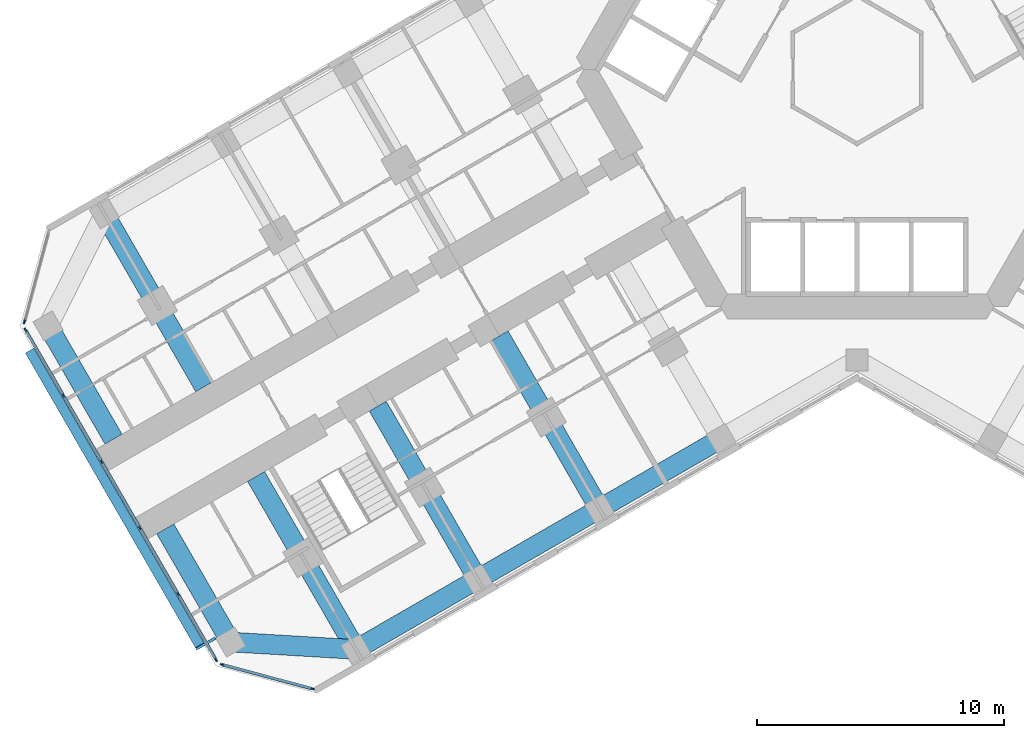
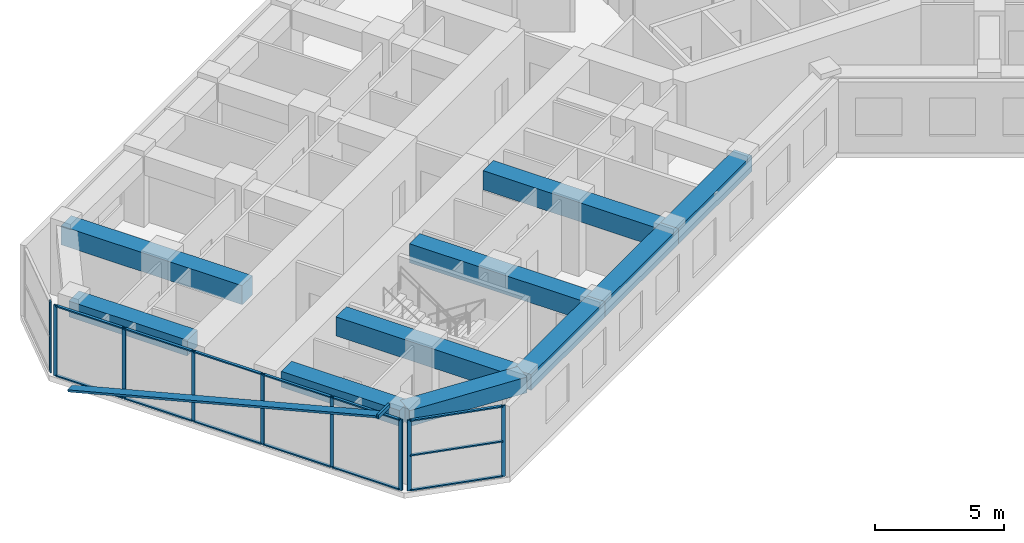
# One storey, part 2 of 21: 24 members, 10 beams, 3 elements without a shape of their own.
"""IFC4 building model written with IfcOpenShell, lengths in metres."""

from ifc_helpers import new_model, si_unit, direction, frame, origin, origin_2d, place, context, subcontext, project, spatial, rectangle, hollow_rectangle, extrude, material, material_profile, profile_set, type_object, element, aggregate, save


model = new_model("IFC4")

# Units and contexts
model_context = context("Model", 3, precision=1e-05, world=origin(), true_north=direction((0.0, 1.0)))
body_context = subcontext(model_context, "Body", "Model", "MODEL_VIEW")
ifc_project = project(units=[si_unit("LENGTHUNIT", "METRE"), si_unit("AREAUNIT", "SQUARE_METRE"), si_unit("VOLUMEUNIT", "CUBIC_METRE"), si_unit("PLANEANGLEUNIT", "RADIAN"), si_unit("MASSUNIT", "GRAM", prefix="KILO")], contexts=[model_context])

# Site, building, storey
site_placement = place(None, origin())
site = spatial("IfcSite", under=ifc_project, at=site_placement, CompositionType="ELEMENT")
building_placement = place(site_placement, origin())
building = spatial("IfcBuilding", under=site, at=building_placement, Name="Kosmar Iwan School Tower", CompositionType="ELEMENT")
storey_placement = place(building_placement, frame((0.0, 0.0, 84.39990234375)))
storey = spatial("IfcBuildingStorey", under=building, at=storey_placement, Name="L20", CompositionType="ELEMENT", Elevation=84.39990234375)

# Members
ifc_material_1 = material(Name="Black anodised aluminium", Category="aluminium")
ifc_material_profile_1 = material_profile(ifc_material_1, rectangle(XDim=0.10009765625, YDim=0.39990234375, at=origin_2d()), Name="FIN 100x400")
ifc_profile_set_1 = profile_set([ifc_material_profile_1], Name="Black anodised aluminium")
member_type_1 = type_object("IfcMemberType", Name="Diagonal fin 100x400", PredefinedType="USERDEFINED", material=ifc_profile_set_1)
member_1_placement = place(storey_placement, frame((-33.54345703125, -11.40087890625, -0.14990234375), z_axis=(0.483793446988, -0.837970316603, 0.25248692866), x_axis=(-0.126241714543, 0.218661104574, 0.96760030532)))
element("IfcMember", 1, at=member_1_placement, inside=storey, type_object=member_type_1, Name="Diagonal fin L20-F13", ObjectType="FIN", PredefinedType="USERDEFINED", context=body_context, shape_type="SweptSolid", body=[
    extrude(rectangle(XDim=0.10009765625, YDim=0.39990234375, at=origin_2d()), origin(), (0.0, 0.0, 1.0), 14.258544921875),
])
ifc_material_2 = material(Name="Steel S355", Category="steel")
ifc_material_profile_2 = material_profile(ifc_material_2, hollow_rectangle(XDim=0.10009765625, YDim=0.199951171875, WallThickness=0.008056640625, at=origin_2d()), Name="RHS 200x100x8")
ifc_profile_set_2 = profile_set([ifc_material_profile_2], Name="Steel S355")
member_type_2 = type_object("IfcMemberType", Name="Fin bracket RHS 200x100", PredefinedType="USERDEFINED", material=ifc_profile_set_2)
member_2_placement = place(storey_placement, frame((-26.01318359375, -23.0439453125, 3.47509765625), z_axis=(-0.866013897511, -0.50001992892, 0.0), x_axis=(0.50001992892, -0.866013897511, 0.0)))
element("IfcMember", 2, at=member_2_placement, inside=storey, type_object=member_type_2, Name="Fin bracket L21", ObjectType="FIN BRACKET", PredefinedType="USERDEFINED", context=body_context, shape_type="SweptSolid", body=[
    extrude(hollow_rectangle(XDim=0.10009765625, YDim=0.199951171875, WallThickness=0.008056640625, at=origin_2d()), origin(), (0.0, 0.0, 1.0), 0.89990234375),
])

# Curtain wall, member
ifc_material_3 = material(Name="Dark glass in black aluminium frame", Category="aluminium")
curtain_wall_type_1 = type_object("IfcCurtainWallType", Name="Chamfer curtain wall dark glass", PredefinedType="USERDEFINED", material=ifc_material_3)
curtain_wall_1_placement = place(storey_placement, origin())
curtain_wall_1 = element("IfcCurtainWall", 3, at=curtain_wall_1_placement, inside=storey, type_object=curtain_wall_type_1, Name="Curtain wall L20-F12", ObjectType="FACETED CURTAIN WALL", PredefinedType="USERDEFINED")
ifc_material_4 = material(Name="Black anodised aluminium", Category="aluminium")
ifc_material_profile_3 = material_profile(ifc_material_4, rectangle(XDim=0.06005859375, YDim=0.159912109375, at=origin_2d()), Name="MULLION 60x160")
ifc_profile_set_3 = profile_set([ifc_material_profile_3], Name="Black anodised aluminium")
member_type_3 = type_object("IfcMemberType", Name="Mullion 60x160", PredefinedType="MULLION", material=ifc_profile_set_3)
member_3_placement = place(storey_placement, frame((-33.7587890625, -10.2236328125, 0.0), z_axis=(0.0, 0.0, 1.0), x_axis=(0.965925875495, -0.258818861462, 0.0)))
member_3 = element("IfcMember", 4, at=member_3_placement, type_object=member_type_3, Name="CW2 mullion 2", PredefinedType="MULLION", context=body_context, shape_type="SweptSolid", body=[
    extrude(rectangle(XDim=0.06005859375, YDim=0.159912109375, at=origin_2d()), origin(), (0.0, 0.0, 1.0), 3.35009765625),
])
aggregate(curtain_wall_1, [member_3])

# Curtain wall, members
ifc_material_5 = material(Name="Dark glass in black aluminium frame", Category="aluminium")
curtain_wall_type_2 = type_object("IfcCurtainWallType", Name="Tower curtain wall dark glass", PredefinedType="USERDEFINED", material=ifc_material_5)
curtain_wall_2_placement = place(storey_placement, origin())
curtain_wall_2 = element("IfcCurtainWall", 5, at=curtain_wall_2_placement, inside=storey, type_object=curtain_wall_type_2, Name="Curtain wall L20-F13", ObjectType="UNITISED CURTAIN WALL", PredefinedType="USERDEFINED")
member_4_placement = place(storey_placement, frame((-33.71533203125, -10.55322265625, 0.0), z_axis=(0.0, 0.0, 1.0), x_axis=(0.866025405329, 0.499999997325, 0.0)))
member_4 = element("IfcMember", 6, at=member_4_placement, type_object=member_type_3, Name="CW1 mullion 1", PredefinedType="MULLION", context=body_context, shape_type="SweptSolid", body=[
    extrude(rectangle(XDim=0.06005859375, YDim=0.159912109375, at=origin_2d()), origin(), (0.0, 0.0, 1.0), 3.35009765625),
])
member_5_placement = place(storey_placement, frame((-32.1806640625, -13.21142578125, 0.0), z_axis=(0.0, 0.0, 1.0), x_axis=(0.866025405329, 0.499999997325, 0.0)))
member_5 = element("IfcMember", 7, at=member_5_placement, type_object=member_type_3, Name="CW1 mullion 2", PredefinedType="MULLION", context=body_context, shape_type="SweptSolid", body=[
    extrude(rectangle(XDim=0.06005859375, YDim=0.159912109375, at=origin_2d()), origin(), (0.0, 0.0, 1.0), 3.35009765625),
])
member_6_placement = place(storey_placement, frame((-30.631103515625, -15.8955078125, 0.0), z_axis=(0.0, 0.0, 1.0), x_axis=(0.866025405329, 0.499999997325, 0.0)))
member_6 = element("IfcMember", 8, at=member_6_placement, type_object=member_type_3, Name="CW1 mullion 3", PredefinedType="MULLION", context=body_context, shape_type="SweptSolid", body=[
    extrude(rectangle(XDim=0.06005859375, YDim=0.159912109375, at=origin_2d()), origin(), (0.0, 0.0, 1.0), 3.35009765625),
])
member_7_placement = place(storey_placement, frame((-29.081298828125, -18.57958984375, 0.0), z_axis=(0.0, 0.0, 1.0), x_axis=(0.866025405329, 0.499999997325, 0.0)))
member_7 = element("IfcMember", 9, at=member_7_placement, type_object=member_type_3, Name="CW1 mullion 4", PredefinedType="MULLION", context=body_context, shape_type="SweptSolid", body=[
    extrude(rectangle(XDim=0.06005859375, YDim=0.159912109375, at=origin_2d()), origin(), (0.0, 0.0, 1.0), 3.35009765625),
])
member_8_placement = place(storey_placement, frame((-27.53173828125, -21.263671875, 0.0), z_axis=(0.0, 0.0, 1.0), x_axis=(0.866025405329, 0.499999997325, 0.0)))
member_8 = element("IfcMember", 10, at=member_8_placement, type_object=member_type_3, Name="CW1 mullion 5", PredefinedType="MULLION", context=body_context, shape_type="SweptSolid", body=[
    extrude(rectangle(XDim=0.06005859375, YDim=0.159912109375, at=origin_2d()), origin(), (0.0, 0.0, 1.0), 3.35009765625),
])
member_9_placement = place(storey_placement, frame((-25.9970703125, -23.921630859375, 0.0), z_axis=(0.0, 0.0, 1.0), x_axis=(0.866025405329, 0.499999997325, 0.0)))
member_9 = element("IfcMember", 11, at=member_9_placement, type_object=member_type_3, Name="CW1 mullion 6", PredefinedType="MULLION", context=body_context, shape_type="SweptSolid", body=[
    extrude(rectangle(XDim=0.06005859375, YDim=0.159912109375, at=origin_2d()), origin(), (0.0, 0.0, 1.0), 3.35009765625),
])

curtain_wall_3_placement = place(storey_placement, origin())
curtain_wall_3 = element("IfcCurtainWall", 12, at=curtain_wall_3_placement, inside=storey, type_object=curtain_wall_type_1, Name="Curtain wall L20-F14", ObjectType="FACETED CURTAIN WALL", PredefinedType="USERDEFINED")
member_10_placement = place(storey_placement, frame((-25.733154296875, -24.124267578125, 0.0), z_axis=(0.0, 0.0, 1.0), x_axis=(0.258818861462, 0.965925875495, 0.0)))
member_10 = element("IfcMember", 13, at=member_10_placement, type_object=member_type_3, Name="CW2 mullion 1", PredefinedType="MULLION", context=body_context, shape_type="SweptSolid", body=[
    extrude(rectangle(XDim=0.06005859375, YDim=0.159912109375, at=origin_2d()), origin(), (0.0, 0.0, 1.0), 3.35009765625),
])
member_11_placement = place(storey_placement, frame((-22.0830078125, -25.102294921875, 0.0), z_axis=(0.0, 0.0, 1.0), x_axis=(0.258818861462, 0.965925875495, 0.0)))
member_11 = element("IfcMember", 14, at=member_11_placement, type_object=member_type_3, Name="CW2 mullion 2", PredefinedType="MULLION", context=body_context, shape_type="SweptSolid", body=[
    extrude(rectangle(XDim=0.06005859375, YDim=0.159912109375, at=origin_2d()), origin(), (0.0, 0.0, 1.0), 3.35009765625),
])

# Beams
ifc_material_6 = material(Name="Concrete C50/60", Category="concrete")
ifc_material_profile_4 = material_profile(ifc_material_6, rectangle(XDim=0.800048828125, YDim=0.75, at=origin_2d()), Name="RC 800x750")
ifc_profile_set_4 = profile_set([ifc_material_profile_4], Name="Concrete C50/60")
beam_type_1 = type_object("IfcBeamType", Name="RC edge beam 800x750", PredefinedType="BEAM", material=ifc_profile_set_4)
beam_1_placement = place(storey_placement, frame((-5.5087890625, -14.95849609375, 2.97509765625), z_axis=(-0.866033658841, -0.49998570155, 0.0), x_axis=(0.49998570155, -0.866033658841, 0.0)))
element("IfcBeam", 15, at=beam_1_placement, inside=storey, type_object=beam_type_1, Name="Edge beam BL2", PredefinedType="BEAM", context=body_context, shape_type="SweptSolid", body=[
    extrude(rectangle(XDim=0.800048828125, YDim=0.75, at=origin_2d()), origin(), (0.0, 0.0, 1.0), 5.699951171875),
])
beam_2_placement = place(storey_placement, frame((-10.445068359375, -17.808349609375, 2.97509765625), z_axis=(-0.866025820012, -0.499999279071, 0.0), x_axis=(0.499999279071, -0.866025820012, 0.0)))
element("IfcBeam", 16, at=beam_2_placement, inside=storey, type_object=beam_type_1, Name="Edge beam BL3", PredefinedType="BEAM", context=body_context, shape_type="SweptSolid", body=[
    extrude(rectangle(XDim=0.800048828125, YDim=0.75, at=origin_2d()), origin(), (0.0, 0.0, 1.0), 5.7001953125),
])
beam_3_placement = place(storey_placement, frame((-15.381591796875, -20.658447265625, 2.97509765625), z_axis=(-0.866015111908, -0.50001782563, 0.0), x_axis=(0.50001782563, -0.866015111908, 0.0)))
element("IfcBeam", 17, at=beam_3_placement, inside=storey, type_object=beam_type_1, Name="Edge beam BL4", PredefinedType="BEAM", context=body_context, shape_type="SweptSolid", body=[
    extrude(rectangle(XDim=0.800048828125, YDim=0.75, at=origin_2d()), origin(), (0.0, 0.0, 1.0), 5.699951171875),
])
ifc_material_7 = material(Name="Concrete C50/60", Category="concrete")
ifc_material_profile_5 = material_profile(ifc_material_7, rectangle(XDim=0.800048828125, YDim=0.75, at=origin_2d()), Name="RC 800x750")
ifc_profile_set_5 = profile_set([ifc_material_profile_5], Name="Concrete C50/60")
beam_type_2 = type_object("IfcBeamType", Name="RC tip beam 800x750", PredefinedType="BEAM", material=ifc_profile_set_5)
beam_4_placement = place(storey_placement, frame((-20.31787109375, -23.508544921875, 2.97509765625), z_axis=(-0.998260616478, 0.058955420358, 0.0), x_axis=(-0.058955420358, -0.998260616478, 0.0)))
element("IfcBeam", 18, at=beam_4_placement, inside=storey, type_object=beam_type_2, Name="Tip beam BL", PredefinedType="BEAM", context=body_context, shape_type="SweptSolid", body=[
    extrude(rectangle(XDim=0.800048828125, YDim=0.75, at=origin_2d()), origin(), (0.0, 0.0, 1.0), 5.08935546875),
])
beam_5_placement = place(storey_placement, frame((-25.3984375, -23.20849609375, 2.97509765625), z_axis=(-0.499993606316, 0.866029095148, 0.0), x_axis=(-0.866029095148, -0.499993606316, 0.0)))
element("IfcBeam", 19, at=beam_5_placement, inside=storey, type_object=beam_type_2, Name="Tip beam BL to corridor wall", PredefinedType="BEAM", context=body_context, shape_type="SweptSolid", body=[
    extrude(rectangle(XDim=0.800048828125, YDim=0.75, at=origin_2d()), origin(), (0.0, 0.0, 1.0), 5.2998046875),
])
beam_6_placement = place(storey_placement, frame((-32.79833984375, -10.391357421875, 2.97509765625), z_axis=(0.499973660256, -0.866040610509, 0.0), x_axis=(0.866040610509, 0.499973660256, 0.0)))
element("IfcBeam", 20, at=beam_6_placement, inside=storey, type_object=beam_type_2, Name="Tip beam BR to corridor wall", PredefinedType="BEAM", context=body_context, shape_type="SweptSolid", body=[
    extrude(rectangle(XDim=0.800048828125, YDim=0.75, at=origin_2d()), origin(), (0.0, 0.0, 1.0), 5.300048828125),
])
ifc_material_8 = material(Name="Concrete C50/60", Category="concrete")
ifc_material_profile_6 = material_profile(ifc_material_8, rectangle(XDim=0.800048828125, YDim=0.89990234375, at=origin_2d()), Name="RC 800x900")
ifc_profile_set_6 = profile_set([ifc_material_profile_6], Name="Concrete C50/60")
beam_type_3 = type_object("IfcBeamType", Name="RC transverse beam 800x900", PredefinedType="BEAM", material=ifc_profile_set_6)
beam_7_placement = place(storey_placement, frame((-10.445068359375, -17.808349609375, 2.900146484375), z_axis=(-0.500012932018, 0.866017937352, 0.0), x_axis=(-0.866017937352, -0.500012932018, 0.0)))
element("IfcBeam", 21, at=beam_7_placement, inside=storey, type_object=beam_type_3, Name="Transverse beam BL2", PredefinedType="BEAM", context=body_context, shape_type="SweptSolid", body=[
    extrude(rectangle(XDim=0.800048828125, YDim=0.89990234375, at=origin_2d()), origin(), (0.0, 0.0, 1.0), 8.099853515625),
])
for number, where, z_axis, x_axis, name in (
    (22, (-15.381591796875, -20.658447265625, 2.900146484375), (-0.499977274689, 0.866038523851, 0.0), (-0.866038523851, -0.499977274689, 0.0), "Transverse beam BL3"),
    (23, (-20.31787109375, -23.508544921875, 2.900146484375), (-0.499999880539, 0.866025472755, 0.0), (-0.866025472755, -0.499999880539, 0.0), "Transverse beam BL4"),
    (24, (-30.517822265625, -5.841552734375, 2.900146484375), (0.499999880539, -0.866025472755, 0.0), (0.866025472755, 0.499999880539, 0.0), "Transverse beam BR4"),
):
    element("IfcBeam", number, at=place(storey_placement, frame(where, z_axis=z_axis, x_axis=x_axis)), inside=storey, type_object=beam_type_3, Name=name, PredefinedType="BEAM", context=body_context, shape_type="SweptSolid", body=[
        extrude(rectangle(XDim=0.800048828125, YDim=0.89990234375, at=origin_2d()), origin(), (0.0, 0.0, 1.0), 8.10009765625),
    ])

# Member
ifc_material_9 = material(Name="Black anodised aluminium", Category="aluminium")
ifc_material_profile_7 = material_profile(ifc_material_9, rectangle(XDim=0.1201171875, YDim=0.06005859375, at=origin_2d()), Name="TRANSOM 60x120")
ifc_profile_set_7 = profile_set([ifc_material_profile_7], Name="Black anodised aluminium")
member_type_4 = type_object("IfcMemberType", Name="Transom 60x120", PredefinedType="USERDEFINED", material=ifc_profile_set_7)
member_12_placement = place(storey_placement, frame((-33.700439453125, -10.579345703125, 0.030029296875), z_axis=(0.500022102064, -0.866012642776, 0.0), x_axis=(0.866012642776, 0.500022102064, 0.0)))
member_12 = element("IfcMember", 25, at=member_12_placement, type_object=member_type_4, Name="CW1 transom 1.1", ObjectType="TRANSOM", PredefinedType="USERDEFINED", context=body_context, shape_type="SweptSolid", body=[
    extrude(rectangle(XDim=0.1201171875, YDim=0.06005859375, at=origin_2d()), origin(), (0.0, 0.0, 1.0), 3.009033203125),
])

member_13_placement = place(storey_placement, frame((-33.700439453125, -10.579345703125, 3.320068359375), z_axis=(0.500022102064, -0.866012642776, 0.0), x_axis=(0.866012642776, 0.500022102064, 0.0)))
member_13 = element("IfcMember", 26, at=member_13_placement, type_object=member_type_4, Name="CW1 transom 1.2", ObjectType="TRANSOM", PredefinedType="USERDEFINED", context=body_context, shape_type="SweptSolid", body=[
    extrude(rectangle(XDim=0.1201171875, YDim=0.06005859375, at=origin_2d()), origin(), (0.0, 0.0, 1.0), 3.009033203125),
])

member_14_placement = place(storey_placement, frame((-32.165771484375, -13.2373046875, 0.030029296875), z_axis=(0.500035348339, -0.866004994449, 0.0), x_axis=(0.866004994449, 0.500035348339, 0.0)))
member_14 = element("IfcMember", 27, at=member_14_placement, type_object=member_type_4, Name="CW1 transom 2.1", ObjectType="TRANSOM", PredefinedType="USERDEFINED", context=body_context, shape_type="SweptSolid", body=[
    extrude(rectangle(XDim=0.1201171875, YDim=0.06005859375, at=origin_2d()), origin(), (0.0, 0.0, 1.0), 3.039306640625),
])

member_15_placement = place(storey_placement, frame((-32.165771484375, -13.2373046875, 3.320068359375), z_axis=(0.500035348339, -0.866004994449, 0.0), x_axis=(0.866004994449, 0.500035348339, 0.0)))
member_15 = element("IfcMember", 28, at=member_15_placement, type_object=member_type_4, Name="CW1 transom 2.2", ObjectType="TRANSOM", PredefinedType="USERDEFINED", context=body_context, shape_type="SweptSolid", body=[
    extrude(rectangle(XDim=0.1201171875, YDim=0.06005859375, at=origin_2d()), origin(), (0.0, 0.0, 1.0), 3.039306640625),
])

member_16_placement = place(storey_placement, frame((-30.615966796875, -15.92138671875, 0.030029296875), z_axis=(0.499975102327, -0.866039777986, 0.0), x_axis=(0.866039777986, 0.499975102327, 0.0)))
member_16 = element("IfcMember", 29, at=member_16_placement, type_object=member_type_4, Name="CW1 transom 3.1", ObjectType="TRANSOM", PredefinedType="USERDEFINED", context=body_context, shape_type="SweptSolid", body=[
    extrude(rectangle(XDim=0.1201171875, YDim=0.06005859375, at=origin_2d()), origin(), (0.0, 0.0, 1.0), 3.039306640625),
])

member_17_placement = place(storey_placement, frame((-30.615966796875, -15.92138671875, 3.320068359375), z_axis=(0.499975102327, -0.866039777986, 0.0), x_axis=(0.866039777986, 0.499975102327, 0.0)))
member_17 = element("IfcMember", 30, at=member_17_placement, type_object=member_type_4, Name="CW1 transom 3.2", ObjectType="TRANSOM", PredefinedType="USERDEFINED", context=body_context, shape_type="SweptSolid", body=[
    extrude(rectangle(XDim=0.1201171875, YDim=0.06005859375, at=origin_2d()), origin(), (0.0, 0.0, 1.0), 3.039306640625),
])

member_18_placement = place(storey_placement, frame((-29.06640625, -18.60546875, 0.030029296875), z_axis=(0.499975102327, -0.866039777986, 0.0), x_axis=(0.866039777986, 0.499975102327, 0.0)))
member_18 = element("IfcMember", 31, at=member_18_placement, type_object=member_type_4, Name="CW1 transom 4.1", ObjectType="TRANSOM", PredefinedType="USERDEFINED", context=body_context, shape_type="SweptSolid", body=[
    extrude(rectangle(XDim=0.1201171875, YDim=0.06005859375, at=origin_2d()), origin(), (0.0, 0.0, 1.0), 3.039306640625),
])

member_19_placement = place(storey_placement, frame((-29.06640625, -18.60546875, 3.320068359375), z_axis=(0.499975102327, -0.866039777986, 0.0), x_axis=(0.866039777986, 0.499975102327, 0.0)))
member_19 = element("IfcMember", 32, at=member_19_placement, type_object=member_type_4, Name="CW1 transom 4.2", ObjectType="TRANSOM", PredefinedType="USERDEFINED", context=body_context, shape_type="SweptSolid", body=[
    extrude(rectangle(XDim=0.1201171875, YDim=0.06005859375, at=origin_2d()), origin(), (0.0, 0.0, 1.0), 3.039306640625),
])

member_20_placement = place(storey_placement, frame((-27.516845703125, -21.28955078125, 0.030029296875), z_axis=(0.499986971506, -0.866032925658, 0.0), x_axis=(0.866032925658, 0.499986971506, 0.0)))
member_20 = element("IfcMember", 33, at=member_20_placement, type_object=member_type_4, Name="CW1 transom 5.1", ObjectType="TRANSOM", PredefinedType="USERDEFINED", context=body_context, shape_type="SweptSolid", body=[
    extrude(rectangle(XDim=0.1201171875, YDim=0.06005859375, at=origin_2d()), origin(), (0.0, 0.0, 1.0), 3.00927734375),
])

member_21_placement = place(storey_placement, frame((-27.516845703125, -21.28955078125, 3.320068359375), z_axis=(0.499986971506, -0.866032925658, 0.0), x_axis=(0.866032925658, 0.499986971506, 0.0)))
member_21 = element("IfcMember", 34, at=member_21_placement, type_object=member_type_4, Name="CW1 transom 5.2", ObjectType="TRANSOM", PredefinedType="USERDEFINED", context=body_context, shape_type="SweptSolid", body=[
    extrude(rectangle(XDim=0.1201171875, YDim=0.06005859375, at=origin_2d()), origin(), (0.0, 0.0, 1.0), 3.00927734375),
])

aggregate(curtain_wall_2, [member_4, member_5, member_6, member_7, member_8, member_9, member_12, member_13, member_14, member_15, member_16, member_17, member_18, member_19, member_20, member_21])

member_22_placement = place(storey_placement, frame((-25.704345703125, -24.1318359375, 0.030029296875), z_axis=(0.965923731726, -0.258826861991, 0.0), x_axis=(0.258826861991, 0.965923731726, 0.0)))
member_22 = element("IfcMember", 35, at=member_22_placement, type_object=member_type_4, Name="CW2 transom 1.1", ObjectType="TRANSOM", PredefinedType="USERDEFINED", context=body_context, shape_type="SweptSolid", body=[
    extrude(rectangle(XDim=0.1201171875, YDim=0.06005859375, at=origin_2d()), origin(), (0.0, 0.0, 1.0), 3.71923828125),
])

member_23_placement = place(storey_placement, frame((-25.704345703125, -24.1318359375, 1.675048828125), z_axis=(0.965923731726, -0.258826861991, 0.0), x_axis=(0.258826861991, 0.965923731726, 0.0)))
member_23 = element("IfcMember", 36, at=member_23_placement, type_object=member_type_4, Name="CW2 transom 1.2", ObjectType="TRANSOM", PredefinedType="USERDEFINED", context=body_context, shape_type="SweptSolid", body=[
    extrude(rectangle(XDim=0.1201171875, YDim=0.06005859375, at=origin_2d()), origin(), (0.0, 0.0, 1.0), 3.71923828125),
])

member_24_placement = place(storey_placement, frame((-25.704345703125, -24.1318359375, 3.320068359375), z_axis=(0.965923731726, -0.258826861991, 0.0), x_axis=(0.258826861991, 0.965923731726, 0.0)))
member_24 = element("IfcMember", 37, at=member_24_placement, type_object=member_type_4, Name="CW2 transom 1.3", ObjectType="TRANSOM", PredefinedType="USERDEFINED", context=body_context, shape_type="SweptSolid", body=[
    extrude(rectangle(XDim=0.1201171875, YDim=0.06005859375, at=origin_2d()), origin(), (0.0, 0.0, 1.0), 3.71923828125),
])

aggregate(curtain_wall_3, [member_10, member_11, member_22, member_23, member_24])

save(model, "model.ifc")
